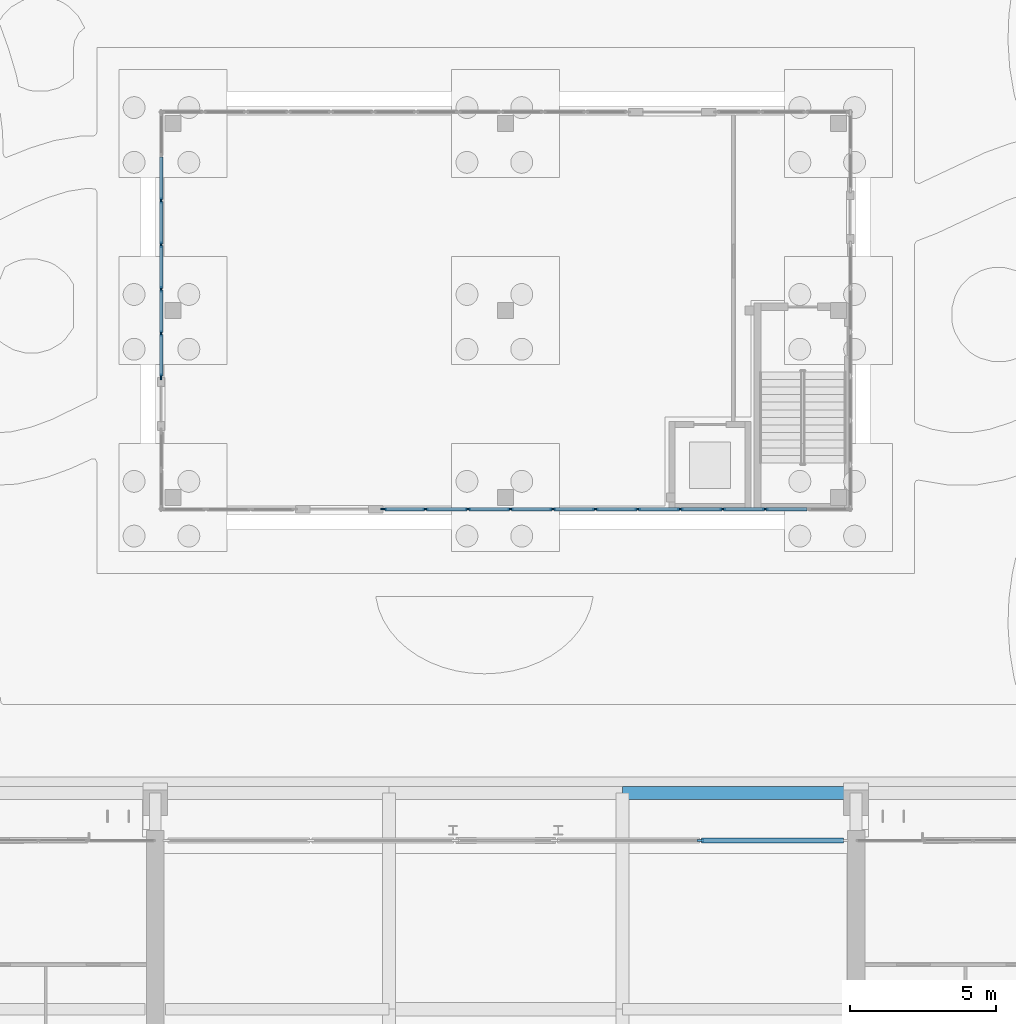
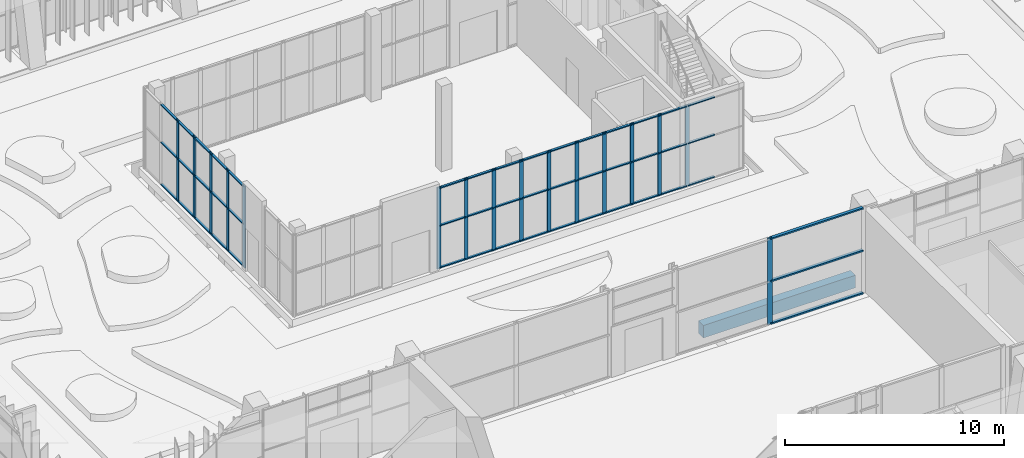
# One storey, part 55 of 144: 64 members, 1 beam, 3 elements without a shape of their own.
"""IFC4 building model written with IfcOpenShell, lengths in metres."""

from ifc_helpers import new_model, si_unit, direction, frame, origin, origin_2d, place, context, subcontext, project, spatial, rectangle, extrude, material, layer, layer_set, material_profile, profile_set, type_object, element, aggregate, save


model = new_model("IFC4")

# Units and contexts
model_context = context("Model", 3, precision=1e-05, world=origin(), true_north=direction((0.0, 1.0)))
body_context = subcontext(model_context, "Body", "Model", "MODEL_VIEW")
ifc_project = project(units=[si_unit("LENGTHUNIT", "METRE"), si_unit("AREAUNIT", "SQUARE_METRE"), si_unit("VOLUMEUNIT", "CUBIC_METRE"), si_unit("PLANEANGLEUNIT", "RADIAN"), si_unit("MASSUNIT", "GRAM", prefix="KILO")], contexts=[model_context])

# Site, building, storey
site_placement = place(None, origin())
site = spatial("IfcSite", under=ifc_project, at=site_placement, CompositionType="ELEMENT")
building_placement = place(site_placement, origin())
building = spatial("IfcBuilding", under=site, at=building_placement, Name="Lantern Court Media Centre", CompositionType="ELEMENT")
storey_placement = place(building_placement, origin())
storey = spatial("IfcBuildingStorey", under=building, at=storey_placement, Name="L00", CompositionType="ELEMENT", Elevation=0.0)

# Curtain wall, members
ifc_material_1 = material(Name="Curtain wall bay 4000")
curtain_wall_type_1 = type_object("IfcCurtainWallType", Name="Curtain wall bay 4000", PredefinedType="NOTDEFINED", material=ifc_material_1)
curtain_wall_1_placement = place(storey_placement, origin())
curtain_wall_1 = element("IfcCurtainWall", 1, at=curtain_wall_1_placement, inside=storey, type_object=curtain_wall_type_1, Name="Curtain wall S inner L00", PredefinedType="NOTDEFINED")
ifc_material_2 = material(Name="Anodised aluminium", Category="aluminium")
ifc_material_profile_1 = material_profile(ifc_material_2, rectangle(XDim=0.080078125, YDim=0.239990234375, at=origin_2d()), Name="AL 80x240")
ifc_profile_set_1 = profile_set([ifc_material_profile_1], Name="Anodised aluminium")
member_type_1 = type_object("IfcMemberType", Name="Curtain wall mullion 80x240", PredefinedType="MULLION", material=ifc_profile_set_1)
member_1_placement = place(storey_placement, frame((58.675048828125, 61.85009765625, 0.0), z_axis=(0.0, 0.0, 1.0), x_axis=(0.0, 1.0, 0.0)))
member_1 = element("IfcMember", 2, at=member_1_placement, type_object=member_type_1, Name="CW3 mullion 2", PredefinedType="MULLION", context=body_context, shape_type="SweptSolid", body=[
    extrude(rectangle(XDim=0.080078125, YDim=0.239990234375, at=origin_2d()), origin(), (0.0, 0.0, 1.0), 4.800048828125),
])
ifc_material_profile_2 = material_profile(ifc_material_2, rectangle(XDim=0.159912109375, YDim=0.080078125, at=origin_2d()), Name="AL 80x160")
ifc_profile_set_2 = profile_set([ifc_material_profile_2], Name="Anodised aluminium")
member_type_2 = type_object("IfcMemberType", Name="Curtain wall transom 160x80", PredefinedType="USERDEFINED", material=ifc_profile_set_2)
member_2_placement = place(storey_placement, frame((58.715087890625, 61.85009765625, 0.0400390625), z_axis=(1.0, 0.0, 0.0), x_axis=(0.0, 1.0, 0.0)))
member_2 = element("IfcMember", 3, at=member_2_placement, type_object=member_type_2, Name="CW3 transom 2.1", ObjectType="TRANSOM", PredefinedType="USERDEFINED", context=body_context, shape_type="SweptSolid", body=[
    extrude(rectangle(XDim=0.159912109375, YDim=0.080078125, at=origin_2d()), origin(), (0.0, 0.0, 1.0), 4.85498046875),
])
member_3_placement = place(storey_placement, frame((58.715087890625, 61.85009765625, 2.39990234375), z_axis=(1.0, 0.0, 0.0), x_axis=(0.0, 1.0, 0.0)))
member_3 = element("IfcMember", 4, at=member_3_placement, type_object=member_type_2, Name="CW3 transom 2.2", ObjectType="TRANSOM", PredefinedType="USERDEFINED", context=body_context, shape_type="SweptSolid", body=[
    extrude(rectangle(XDim=0.159912109375, YDim=0.080078125, at=origin_2d()), origin(), (0.0, 0.0, 1.0), 4.85498046875),
])
member_4_placement = place(storey_placement, frame((58.715087890625, 61.85009765625, 4.760009765625), z_axis=(1.0, 0.0, 0.0), x_axis=(0.0, 1.0, 0.0)))
member_4 = element("IfcMember", 5, at=member_4_placement, type_object=member_type_2, Name="CW3 transom 2.3", ObjectType="TRANSOM", PredefinedType="USERDEFINED", context=body_context, shape_type="SweptSolid", body=[
    extrude(rectangle(XDim=0.159912109375, YDim=0.080078125, at=origin_2d()), origin(), (0.0, 0.0, 1.0), 4.85498046875),
])
aggregate(curtain_wall_1, [member_1, member_2, member_3, member_4])

ifc_material_3 = material(Name="Aluminium and glass", Category="aluminium")
ifc_layer = layer(ifc_material_3, 0.14990234375)
ifc_layer_set = layer_set([ifc_layer], Name="Aluminium and glass")
curtain_wall_type_2 = type_object("IfcCurtainWallType", Name="Hall lancet glazing", PredefinedType="NOTDEFINED", material=ifc_layer_set)
curtain_wall_2_placement = place(storey_placement, origin())
curtain_wall_2 = element("IfcCurtainWall", 6, at=curtain_wall_2_placement, inside=storey, type_object=curtain_wall_type_2, Name="Press box glazing S 2", PredefinedType="NOTDEFINED")
ifc_material_4 = material(Name="Aluminium, anodised", Category="aluminium")
ifc_material_profile_3 = material_profile(ifc_material_4, rectangle(XDim=0.06005859375, YDim=0.199951171875, at=origin_2d()), Name="HM")
ifc_profile_set_3 = profile_set([ifc_material_profile_3], Name="Aluminium, anodised")
member_type_3 = type_object("IfcMemberType", Name="HM", PredefinedType="MULLION", material=ifc_profile_set_3)
member_5_placement = place(storey_placement, frame((47.830078125, 73.199951171875, 0.0), z_axis=(0.0, 0.0, 1.0), x_axis=(0.0, 1.0, 0.0)))
member_5 = element("IfcMember", 7, at=member_5_placement, type_object=member_type_3, Name="HCW-PS2 mullion 1", PredefinedType="MULLION", context=body_context, shape_type="SweptSolid", body=[
    extrude(rectangle(XDim=0.06005859375, YDim=0.199951171875, at=origin_2d()), origin(), (0.0, 0.0, 1.0), 4.550048828125),
])
member_6_placement = place(storey_placement, frame((49.254638671875, 73.199951171875, 0.0), z_axis=(0.0, 0.0, 1.0), x_axis=(0.0, 1.0, 0.0)))
member_6 = element("IfcMember", 8, at=member_6_placement, type_object=member_type_3, Name="HCW-PS2 mullion 2", PredefinedType="MULLION", context=body_context, shape_type="SweptSolid", body=[
    extrude(rectangle(XDim=0.06005859375, YDim=0.199951171875, at=origin_2d()), origin(), (0.0, 0.0, 1.0), 4.550048828125),
])
member_7_placement = place(storey_placement, frame((50.708984375, 73.199951171875, 0.0), z_axis=(0.0, 0.0, 1.0), x_axis=(0.0, 1.0, 0.0)))
member_7 = element("IfcMember", 9, at=member_7_placement, type_object=member_type_3, Name="HCW-PS2 mullion 3", PredefinedType="MULLION", context=body_context, shape_type="SweptSolid", body=[
    extrude(rectangle(XDim=0.06005859375, YDim=0.199951171875, at=origin_2d()), origin(), (0.0, 0.0, 1.0), 4.550048828125),
])
member_8_placement = place(storey_placement, frame((52.16357421875, 73.199951171875, 0.0), z_axis=(0.0, 0.0, 1.0), x_axis=(0.0, 1.0, 0.0)))
member_8 = element("IfcMember", 10, at=member_8_placement, type_object=member_type_3, Name="HCW-PS2 mullion 4", PredefinedType="MULLION", context=body_context, shape_type="SweptSolid", body=[
    extrude(rectangle(XDim=0.06005859375, YDim=0.199951171875, at=origin_2d()), origin(), (0.0, 0.0, 1.0), 4.550048828125),
])
member_9_placement = place(storey_placement, frame((53.6181640625, 73.199951171875, 0.0), z_axis=(0.0, 0.0, 1.0), x_axis=(0.0, 1.0, 0.0)))
member_9 = element("IfcMember", 11, at=member_9_placement, type_object=member_type_3, Name="HCW-PS2 mullion 5", PredefinedType="MULLION", context=body_context, shape_type="SweptSolid", body=[
    extrude(rectangle(XDim=0.06005859375, YDim=0.199951171875, at=origin_2d()), origin(), (0.0, 0.0, 1.0), 4.550048828125),
])
member_10_placement = place(storey_placement, frame((55.07275390625, 73.199951171875, 0.0), z_axis=(0.0, 0.0, 1.0), x_axis=(0.0, 1.0, 0.0)))
member_10 = element("IfcMember", 12, at=member_10_placement, type_object=member_type_3, Name="HCW-PS2 mullion 6", PredefinedType="MULLION", context=body_context, shape_type="SweptSolid", body=[
    extrude(rectangle(XDim=0.06005859375, YDim=0.199951171875, at=origin_2d()), origin(), (0.0, 0.0, 1.0), 4.550048828125),
])
member_11_placement = place(storey_placement, frame((56.52734375, 73.199951171875, 0.0), z_axis=(0.0, 0.0, 1.0), x_axis=(0.0, 1.0, 0.0)))
member_11 = element("IfcMember", 13, at=member_11_placement, type_object=member_type_3, Name="HCW-PS2 mullion 7", PredefinedType="MULLION", context=body_context, shape_type="SweptSolid", body=[
    extrude(rectangle(XDim=0.06005859375, YDim=0.199951171875, at=origin_2d()), origin(), (0.0, 0.0, 1.0), 4.550048828125),
])
member_12_placement = place(storey_placement, frame((57.98193359375, 73.199951171875, 0.0), z_axis=(0.0, 0.0, 1.0), x_axis=(0.0, 1.0, 0.0)))
member_12 = element("IfcMember", 14, at=member_12_placement, type_object=member_type_3, Name="HCW-PS2 mullion 8", PredefinedType="MULLION", context=body_context, shape_type="SweptSolid", body=[
    extrude(rectangle(XDim=0.06005859375, YDim=0.199951171875, at=origin_2d()), origin(), (0.0, 0.0, 1.0), 4.550048828125),
])
member_13_placement = place(storey_placement, frame((59.436279296875, 73.199951171875, 0.0), z_axis=(0.0, 0.0, 1.0), x_axis=(0.0, 1.0, 0.0)))
member_13 = element("IfcMember", 15, at=member_13_placement, type_object=member_type_3, Name="HCW-PS2 mullion 9", PredefinedType="MULLION", context=body_context, shape_type="SweptSolid", body=[
    extrude(rectangle(XDim=0.06005859375, YDim=0.199951171875, at=origin_2d()), origin(), (0.0, 0.0, 1.0), 4.550048828125),
])
member_14_placement = place(storey_placement, frame((60.890869140625, 73.199951171875, 0.0), z_axis=(0.0, 0.0, 1.0), x_axis=(0.0, 1.0, 0.0)))
member_14 = element("IfcMember", 16, at=member_14_placement, type_object=member_type_3, Name="HCW-PS2 mullion 10", PredefinedType="MULLION", context=body_context, shape_type="SweptSolid", body=[
    extrude(rectangle(XDim=0.06005859375, YDim=0.199951171875, at=origin_2d()), origin(), (0.0, 0.0, 1.0), 4.550048828125),
])

curtain_wall_3_placement = place(storey_placement, origin())
curtain_wall_3 = element("IfcCurtainWall", 17, at=curtain_wall_3_placement, inside=storey, type_object=curtain_wall_type_2, Name="Press box glazing W 2", PredefinedType="NOTDEFINED")
member_15_placement = place(storey_placement, frame((40.199951171875, 77.72998046875, 0.0), z_axis=(0.0, 0.0, 1.0), x_axis=(-1.0, 0.0, 0.0)))
member_15 = element("IfcMember", 18, at=member_15_placement, type_object=member_type_3, Name="HCW-PW2 mullion 1", PredefinedType="MULLION", context=body_context, shape_type="SweptSolid", body=[
    extrude(rectangle(XDim=0.06005859375, YDim=0.199951171875, at=origin_2d()), origin(), (0.0, 0.0, 1.0), 4.550048828125),
])
member_16_placement = place(storey_placement, frame((40.199951171875, 79.216552734375, 0.0), z_axis=(0.0, 0.0, 1.0), x_axis=(-1.0, 0.0, 0.0)))
member_16 = element("IfcMember", 19, at=member_16_placement, type_object=member_type_3, Name="HCW-PW2 mullion 2", PredefinedType="MULLION", context=body_context, shape_type="SweptSolid", body=[
    extrude(rectangle(XDim=0.06005859375, YDim=0.199951171875, at=origin_2d()), origin(), (0.0, 0.0, 1.0), 4.550048828125),
])
member_17_placement = place(storey_placement, frame((40.199951171875, 80.7333984375, 0.0), z_axis=(0.0, 0.0, 1.0), x_axis=(-1.0, 0.0, 0.0)))
member_17 = element("IfcMember", 20, at=member_17_placement, type_object=member_type_3, Name="HCW-PW2 mullion 3", PredefinedType="MULLION", context=body_context, shape_type="SweptSolid", body=[
    extrude(rectangle(XDim=0.06005859375, YDim=0.199951171875, at=origin_2d()), origin(), (0.0, 0.0, 1.0), 4.550048828125),
])
member_18_placement = place(storey_placement, frame((40.199951171875, 82.25, 0.0), z_axis=(0.0, 0.0, 1.0), x_axis=(-1.0, 0.0, 0.0)))
member_18 = element("IfcMember", 21, at=member_18_placement, type_object=member_type_3, Name="HCW-PW2 mullion 4", PredefinedType="MULLION", context=body_context, shape_type="SweptSolid", body=[
    extrude(rectangle(XDim=0.06005859375, YDim=0.199951171875, at=origin_2d()), origin(), (0.0, 0.0, 1.0), 4.550048828125),
])
member_19_placement = place(storey_placement, frame((40.199951171875, 83.7666015625, 0.0), z_axis=(0.0, 0.0, 1.0), x_axis=(-1.0, 0.0, 0.0)))
member_19 = element("IfcMember", 22, at=member_19_placement, type_object=member_type_3, Name="HCW-PW2 mullion 5", PredefinedType="MULLION", context=body_context, shape_type="SweptSolid", body=[
    extrude(rectangle(XDim=0.06005859375, YDim=0.199951171875, at=origin_2d()), origin(), (0.0, 0.0, 1.0), 4.550048828125),
])

# Member
ifc_material_profile_4 = material_profile(ifc_material_4, rectangle(XDim=0.1201171875, YDim=0.06005859375, at=origin_2d()), Name="HT")
ifc_profile_set_4 = profile_set([ifc_material_profile_4], Name="Aluminium, anodised")
member_type_4 = type_object("IfcMemberType", Name="HT", PredefinedType="USERDEFINED", material=ifc_profile_set_4)
member_20_placement = place(storey_placement, frame((47.860107421875, 73.199951171875, 0.06005859375), z_axis=(1.0, 0.0, 0.0), x_axis=(0.0, 1.0, 0.0)))
member_20 = element("IfcMember", 23, at=member_20_placement, type_object=member_type_4, Name="HCW-PS2 transom 1.1", ObjectType="TRANSOM", PredefinedType="USERDEFINED", context=body_context, shape_type="SweptSolid", body=[
    extrude(rectangle(XDim=0.1201171875, YDim=0.06005859375, at=origin_2d()), origin(), (0.0, 0.0, 1.0), 1.364501953125),
])

member_21_placement = place(storey_placement, frame((47.860107421875, 73.199951171875, 2.39990234375), z_axis=(1.0, 0.0, 0.0), x_axis=(0.0, 1.0, 0.0)))
member_21 = element("IfcMember", 24, at=member_21_placement, type_object=member_type_4, Name="HCW-PS2 transom 1.2", ObjectType="TRANSOM", PredefinedType="USERDEFINED", context=body_context, shape_type="SweptSolid", body=[
    extrude(rectangle(XDim=0.1201171875, YDim=0.06005859375, at=origin_2d()), origin(), (0.0, 0.0, 1.0), 1.364501953125),
])

member_22_placement = place(storey_placement, frame((47.860107421875, 73.199951171875, 4.489990234375), z_axis=(1.0, 0.0, 0.0), x_axis=(0.0, 1.0, 0.0)))
member_22 = element("IfcMember", 25, at=member_22_placement, type_object=member_type_4, Name="HCW-PS2 transom 1.3", ObjectType="TRANSOM", PredefinedType="USERDEFINED", context=body_context, shape_type="SweptSolid", body=[
    extrude(rectangle(XDim=0.1201171875, YDim=0.06005859375, at=origin_2d()), origin(), (0.0, 0.0, 1.0), 1.364501953125),
])

member_23_placement = place(storey_placement, frame((49.284423828125, 73.199951171875, 0.06005859375), z_axis=(1.0, 0.0, 0.0), x_axis=(0.0, 1.0, 0.0)))
member_23 = element("IfcMember", 26, at=member_23_placement, type_object=member_type_4, Name="HCW-PS2 transom 2.1", ObjectType="TRANSOM", PredefinedType="USERDEFINED", context=body_context, shape_type="SweptSolid", body=[
    extrude(rectangle(XDim=0.1201171875, YDim=0.06005859375, at=origin_2d()), origin(), (0.0, 0.0, 1.0), 1.394775390625),
])

member_24_placement = place(storey_placement, frame((49.284423828125, 73.199951171875, 2.39990234375), z_axis=(1.0, 0.0, 0.0), x_axis=(0.0, 1.0, 0.0)))
member_24 = element("IfcMember", 27, at=member_24_placement, type_object=member_type_4, Name="HCW-PS2 transom 2.2", ObjectType="TRANSOM", PredefinedType="USERDEFINED", context=body_context, shape_type="SweptSolid", body=[
    extrude(rectangle(XDim=0.1201171875, YDim=0.06005859375, at=origin_2d()), origin(), (0.0, 0.0, 1.0), 1.394775390625),
])

member_25_placement = place(storey_placement, frame((49.284423828125, 73.199951171875, 4.489990234375), z_axis=(1.0, 0.0, 0.0), x_axis=(0.0, 1.0, 0.0)))
member_25 = element("IfcMember", 28, at=member_25_placement, type_object=member_type_4, Name="HCW-PS2 transom 2.3", ObjectType="TRANSOM", PredefinedType="USERDEFINED", context=body_context, shape_type="SweptSolid", body=[
    extrude(rectangle(XDim=0.1201171875, YDim=0.06005859375, at=origin_2d()), origin(), (0.0, 0.0, 1.0), 1.394775390625),
])

member_26_placement = place(storey_placement, frame((50.739013671875, 73.199951171875, 0.06005859375), z_axis=(1.0, 0.0, 0.0), x_axis=(0.0, 1.0, 0.0)))
member_26 = element("IfcMember", 29, at=member_26_placement, type_object=member_type_4, Name="HCW-PS2 transom 3.1", ObjectType="TRANSOM", PredefinedType="USERDEFINED", context=body_context, shape_type="SweptSolid", body=[
    extrude(rectangle(XDim=0.1201171875, YDim=0.06005859375, at=origin_2d()), origin(), (0.0, 0.0, 1.0), 1.39453125),
])

member_27_placement = place(storey_placement, frame((50.739013671875, 73.199951171875, 2.39990234375), z_axis=(1.0, 0.0, 0.0), x_axis=(0.0, 1.0, 0.0)))
member_27 = element("IfcMember", 30, at=member_27_placement, type_object=member_type_4, Name="HCW-PS2 transom 3.2", ObjectType="TRANSOM", PredefinedType="USERDEFINED", context=body_context, shape_type="SweptSolid", body=[
    extrude(rectangle(XDim=0.1201171875, YDim=0.06005859375, at=origin_2d()), origin(), (0.0, 0.0, 1.0), 1.39453125),
])

member_28_placement = place(storey_placement, frame((50.739013671875, 73.199951171875, 4.489990234375), z_axis=(1.0, 0.0, 0.0), x_axis=(0.0, 1.0, 0.0)))
member_28 = element("IfcMember", 31, at=member_28_placement, type_object=member_type_4, Name="HCW-PS2 transom 3.3", ObjectType="TRANSOM", PredefinedType="USERDEFINED", context=body_context, shape_type="SweptSolid", body=[
    extrude(rectangle(XDim=0.1201171875, YDim=0.06005859375, at=origin_2d()), origin(), (0.0, 0.0, 1.0), 1.39453125),
])

member_29_placement = place(storey_placement, frame((52.193603515625, 73.199951171875, 0.06005859375), z_axis=(1.0, 0.0, 0.0), x_axis=(0.0, 1.0, 0.0)))
member_29 = element("IfcMember", 32, at=member_29_placement, type_object=member_type_4, Name="HCW-PS2 transom 4.1", ObjectType="TRANSOM", PredefinedType="USERDEFINED", context=body_context, shape_type="SweptSolid", body=[
    extrude(rectangle(XDim=0.1201171875, YDim=0.06005859375, at=origin_2d()), origin(), (0.0, 0.0, 1.0), 1.39453125),
])

member_30_placement = place(storey_placement, frame((52.193603515625, 73.199951171875, 2.39990234375), z_axis=(1.0, 0.0, 0.0), x_axis=(0.0, 1.0, 0.0)))
member_30 = element("IfcMember", 33, at=member_30_placement, type_object=member_type_4, Name="HCW-PS2 transom 4.2", ObjectType="TRANSOM", PredefinedType="USERDEFINED", context=body_context, shape_type="SweptSolid", body=[
    extrude(rectangle(XDim=0.1201171875, YDim=0.06005859375, at=origin_2d()), origin(), (0.0, 0.0, 1.0), 1.39453125),
])

member_31_placement = place(storey_placement, frame((52.193603515625, 73.199951171875, 4.489990234375), z_axis=(1.0, 0.0, 0.0), x_axis=(0.0, 1.0, 0.0)))
member_31 = element("IfcMember", 34, at=member_31_placement, type_object=member_type_4, Name="HCW-PS2 transom 4.3", ObjectType="TRANSOM", PredefinedType="USERDEFINED", context=body_context, shape_type="SweptSolid", body=[
    extrude(rectangle(XDim=0.1201171875, YDim=0.06005859375, at=origin_2d()), origin(), (0.0, 0.0, 1.0), 1.39453125),
])

member_32_placement = place(storey_placement, frame((53.648193359375, 73.199951171875, 0.06005859375), z_axis=(1.0, 0.0, 0.0), x_axis=(0.0, 1.0, 0.0)))
member_32 = element("IfcMember", 35, at=member_32_placement, type_object=member_type_4, Name="HCW-PS2 transom 5.1", ObjectType="TRANSOM", PredefinedType="USERDEFINED", context=body_context, shape_type="SweptSolid", body=[
    extrude(rectangle(XDim=0.1201171875, YDim=0.06005859375, at=origin_2d()), origin(), (0.0, 0.0, 1.0), 1.39453125),
])

member_33_placement = place(storey_placement, frame((53.648193359375, 73.199951171875, 2.39990234375), z_axis=(1.0, 0.0, 0.0), x_axis=(0.0, 1.0, 0.0)))
member_33 = element("IfcMember", 36, at=member_33_placement, type_object=member_type_4, Name="HCW-PS2 transom 5.2", ObjectType="TRANSOM", PredefinedType="USERDEFINED", context=body_context, shape_type="SweptSolid", body=[
    extrude(rectangle(XDim=0.1201171875, YDim=0.06005859375, at=origin_2d()), origin(), (0.0, 0.0, 1.0), 1.39453125),
])

member_34_placement = place(storey_placement, frame((53.648193359375, 73.199951171875, 4.489990234375), z_axis=(1.0, 0.0, 0.0), x_axis=(0.0, 1.0, 0.0)))
member_34 = element("IfcMember", 37, at=member_34_placement, type_object=member_type_4, Name="HCW-PS2 transom 5.3", ObjectType="TRANSOM", PredefinedType="USERDEFINED", context=body_context, shape_type="SweptSolid", body=[
    extrude(rectangle(XDim=0.1201171875, YDim=0.06005859375, at=origin_2d()), origin(), (0.0, 0.0, 1.0), 1.39453125),
])

member_35_placement = place(storey_placement, frame((55.102783203125, 73.199951171875, 0.06005859375), z_axis=(1.0, 0.0, 0.0), x_axis=(0.0, 1.0, 0.0)))
member_35 = element("IfcMember", 38, at=member_35_placement, type_object=member_type_4, Name="HCW-PS2 transom 6.1", ObjectType="TRANSOM", PredefinedType="USERDEFINED", context=body_context, shape_type="SweptSolid", body=[
    extrude(rectangle(XDim=0.1201171875, YDim=0.06005859375, at=origin_2d()), origin(), (0.0, 0.0, 1.0), 1.39453125),
])

member_36_placement = place(storey_placement, frame((55.102783203125, 73.199951171875, 2.39990234375), z_axis=(1.0, 0.0, 0.0), x_axis=(0.0, 1.0, 0.0)))
member_36 = element("IfcMember", 39, at=member_36_placement, type_object=member_type_4, Name="HCW-PS2 transom 6.2", ObjectType="TRANSOM", PredefinedType="USERDEFINED", context=body_context, shape_type="SweptSolid", body=[
    extrude(rectangle(XDim=0.1201171875, YDim=0.06005859375, at=origin_2d()), origin(), (0.0, 0.0, 1.0), 1.39453125),
])

member_37_placement = place(storey_placement, frame((55.102783203125, 73.199951171875, 4.489990234375), z_axis=(1.0, 0.0, 0.0), x_axis=(0.0, 1.0, 0.0)))
member_37 = element("IfcMember", 40, at=member_37_placement, type_object=member_type_4, Name="HCW-PS2 transom 6.3", ObjectType="TRANSOM", PredefinedType="USERDEFINED", context=body_context, shape_type="SweptSolid", body=[
    extrude(rectangle(XDim=0.1201171875, YDim=0.06005859375, at=origin_2d()), origin(), (0.0, 0.0, 1.0), 1.39453125),
])

member_38_placement = place(storey_placement, frame((56.557373046875, 73.199951171875, 0.06005859375), z_axis=(1.0, 0.0, 0.0), x_axis=(0.0, 1.0, 0.0)))
member_38 = element("IfcMember", 41, at=member_38_placement, type_object=member_type_4, Name="HCW-PS2 transom 7.1", ObjectType="TRANSOM", PredefinedType="USERDEFINED", context=body_context, shape_type="SweptSolid", body=[
    extrude(rectangle(XDim=0.1201171875, YDim=0.06005859375, at=origin_2d()), origin(), (0.0, 0.0, 1.0), 1.39453125),
])

member_39_placement = place(storey_placement, frame((56.557373046875, 73.199951171875, 2.39990234375), z_axis=(1.0, 0.0, 0.0), x_axis=(0.0, 1.0, 0.0)))
member_39 = element("IfcMember", 42, at=member_39_placement, type_object=member_type_4, Name="HCW-PS2 transom 7.2", ObjectType="TRANSOM", PredefinedType="USERDEFINED", context=body_context, shape_type="SweptSolid", body=[
    extrude(rectangle(XDim=0.1201171875, YDim=0.06005859375, at=origin_2d()), origin(), (0.0, 0.0, 1.0), 1.39453125),
])

member_40_placement = place(storey_placement, frame((56.557373046875, 73.199951171875, 4.489990234375), z_axis=(1.0, 0.0, 0.0), x_axis=(0.0, 1.0, 0.0)))
member_40 = element("IfcMember", 43, at=member_40_placement, type_object=member_type_4, Name="HCW-PS2 transom 7.3", ObjectType="TRANSOM", PredefinedType="USERDEFINED", context=body_context, shape_type="SweptSolid", body=[
    extrude(rectangle(XDim=0.1201171875, YDim=0.06005859375, at=origin_2d()), origin(), (0.0, 0.0, 1.0), 1.39453125),
])

member_41_placement = place(storey_placement, frame((58.01171875, 73.199951171875, 0.06005859375), z_axis=(1.0, 0.0, 0.0), x_axis=(0.0, 1.0, 0.0)))
member_41 = element("IfcMember", 44, at=member_41_placement, type_object=member_type_4, Name="HCW-PS2 transom 8.1", ObjectType="TRANSOM", PredefinedType="USERDEFINED", context=body_context, shape_type="SweptSolid", body=[
    extrude(rectangle(XDim=0.1201171875, YDim=0.06005859375, at=origin_2d()), origin(), (0.0, 0.0, 1.0), 1.39453125),
])

member_42_placement = place(storey_placement, frame((58.01171875, 73.199951171875, 2.39990234375), z_axis=(1.0, 0.0, 0.0), x_axis=(0.0, 1.0, 0.0)))
member_42 = element("IfcMember", 45, at=member_42_placement, type_object=member_type_4, Name="HCW-PS2 transom 8.2", ObjectType="TRANSOM", PredefinedType="USERDEFINED", context=body_context, shape_type="SweptSolid", body=[
    extrude(rectangle(XDim=0.1201171875, YDim=0.06005859375, at=origin_2d()), origin(), (0.0, 0.0, 1.0), 1.39453125),
])

member_43_placement = place(storey_placement, frame((58.01171875, 73.199951171875, 4.489990234375), z_axis=(1.0, 0.0, 0.0), x_axis=(0.0, 1.0, 0.0)))
member_43 = element("IfcMember", 46, at=member_43_placement, type_object=member_type_4, Name="HCW-PS2 transom 8.3", ObjectType="TRANSOM", PredefinedType="USERDEFINED", context=body_context, shape_type="SweptSolid", body=[
    extrude(rectangle(XDim=0.1201171875, YDim=0.06005859375, at=origin_2d()), origin(), (0.0, 0.0, 1.0), 1.39453125),
])

member_44_placement = place(storey_placement, frame((59.46630859375, 73.199951171875, 0.06005859375), z_axis=(1.0, 0.0, 0.0), x_axis=(0.0, 1.0, 0.0)))
member_44 = element("IfcMember", 47, at=member_44_placement, type_object=member_type_4, Name="HCW-PS2 transom 9.1", ObjectType="TRANSOM", PredefinedType="USERDEFINED", context=body_context, shape_type="SweptSolid", body=[
    extrude(rectangle(XDim=0.1201171875, YDim=0.06005859375, at=origin_2d()), origin(), (0.0, 0.0, 1.0), 1.39453125),
])

member_45_placement = place(storey_placement, frame((59.46630859375, 73.199951171875, 2.39990234375), z_axis=(1.0, 0.0, 0.0), x_axis=(0.0, 1.0, 0.0)))
member_45 = element("IfcMember", 48, at=member_45_placement, type_object=member_type_4, Name="HCW-PS2 transom 9.2", ObjectType="TRANSOM", PredefinedType="USERDEFINED", context=body_context, shape_type="SweptSolid", body=[
    extrude(rectangle(XDim=0.1201171875, YDim=0.06005859375, at=origin_2d()), origin(), (0.0, 0.0, 1.0), 1.39453125),
])

member_46_placement = place(storey_placement, frame((59.46630859375, 73.199951171875, 4.489990234375), z_axis=(1.0, 0.0, 0.0), x_axis=(0.0, 1.0, 0.0)))
member_46 = element("IfcMember", 49, at=member_46_placement, type_object=member_type_4, Name="HCW-PS2 transom 9.3", ObjectType="TRANSOM", PredefinedType="USERDEFINED", context=body_context, shape_type="SweptSolid", body=[
    extrude(rectangle(XDim=0.1201171875, YDim=0.06005859375, at=origin_2d()), origin(), (0.0, 0.0, 1.0), 1.39453125),
])

member_47_placement = place(storey_placement, frame((60.9208984375, 73.199951171875, 0.06005859375), z_axis=(1.0, 0.0, 0.0), x_axis=(0.0, 1.0, 0.0)))
member_47 = element("IfcMember", 50, at=member_47_placement, type_object=member_type_4, Name="HCW-PS2 transom 10.1", ObjectType="TRANSOM", PredefinedType="USERDEFINED", context=body_context, shape_type="SweptSolid", body=[
    extrude(rectangle(XDim=0.1201171875, YDim=0.06005859375, at=origin_2d()), origin(), (0.0, 0.0, 1.0), 1.39453125),
])

member_48_placement = place(storey_placement, frame((60.9208984375, 73.199951171875, 2.39990234375), z_axis=(1.0, 0.0, 0.0), x_axis=(0.0, 1.0, 0.0)))
member_48 = element("IfcMember", 51, at=member_48_placement, type_object=member_type_4, Name="HCW-PS2 transom 10.2", ObjectType="TRANSOM", PredefinedType="USERDEFINED", context=body_context, shape_type="SweptSolid", body=[
    extrude(rectangle(XDim=0.1201171875, YDim=0.06005859375, at=origin_2d()), origin(), (0.0, 0.0, 1.0), 1.39453125),
])

member_49_placement = place(storey_placement, frame((60.9208984375, 73.199951171875, 4.489990234375), z_axis=(1.0, 0.0, 0.0), x_axis=(0.0, 1.0, 0.0)))
member_49 = element("IfcMember", 52, at=member_49_placement, type_object=member_type_4, Name="HCW-PS2 transom 10.3", ObjectType="TRANSOM", PredefinedType="USERDEFINED", context=body_context, shape_type="SweptSolid", body=[
    extrude(rectangle(XDim=0.1201171875, YDim=0.06005859375, at=origin_2d()), origin(), (0.0, 0.0, 1.0), 1.39453125),
])

aggregate(curtain_wall_2, [member_5, member_6, member_7, member_8, member_9, member_10, member_11, member_12, member_13, member_14, member_20, member_21, member_22, member_23, member_24, member_25, member_26, member_27, member_28, member_29, member_30, member_31, member_32, member_33, member_34, member_35, member_36, member_37, member_38, member_39, member_40, member_41, member_42, member_43, member_44, member_45, member_46, member_47, member_48, member_49])

member_50_placement = place(storey_placement, frame((40.199951171875, 77.760009765625, 0.06005859375), z_axis=(0.0, 1.0, 0.0), x_axis=(-1.0, 0.0, 0.0)))
member_50 = element("IfcMember", 53, at=member_50_placement, type_object=member_type_4, Name="HCW-PW2 transom 1.1", ObjectType="TRANSOM", PredefinedType="USERDEFINED", context=body_context, shape_type="SweptSolid", body=[
    extrude(rectangle(XDim=0.1201171875, YDim=0.06005859375, at=origin_2d()), origin(), (0.0, 0.0, 1.0), 1.4267578125),
])

member_51_placement = place(storey_placement, frame((40.199951171875, 77.760009765625, 2.39990234375), z_axis=(0.0, 1.0, 0.0), x_axis=(-1.0, 0.0, 0.0)))
member_51 = element("IfcMember", 54, at=member_51_placement, type_object=member_type_4, Name="HCW-PW2 transom 1.2", ObjectType="TRANSOM", PredefinedType="USERDEFINED", context=body_context, shape_type="SweptSolid", body=[
    extrude(rectangle(XDim=0.1201171875, YDim=0.06005859375, at=origin_2d()), origin(), (0.0, 0.0, 1.0), 1.4267578125),
])

member_52_placement = place(storey_placement, frame((40.199951171875, 77.760009765625, 4.489990234375), z_axis=(0.0, 1.0, 0.0), x_axis=(-1.0, 0.0, 0.0)))
member_52 = element("IfcMember", 55, at=member_52_placement, type_object=member_type_4, Name="HCW-PW2 transom 1.3", ObjectType="TRANSOM", PredefinedType="USERDEFINED", context=body_context, shape_type="SweptSolid", body=[
    extrude(rectangle(XDim=0.1201171875, YDim=0.06005859375, at=origin_2d()), origin(), (0.0, 0.0, 1.0), 1.4267578125),
])

member_53_placement = place(storey_placement, frame((40.199951171875, 79.24658203125, 0.06005859375), z_axis=(0.0, 1.0, 0.0), x_axis=(-1.0, 0.0, 0.0)))
member_53 = element("IfcMember", 56, at=member_53_placement, type_object=member_type_4, Name="HCW-PW2 transom 2.1", ObjectType="TRANSOM", PredefinedType="USERDEFINED", context=body_context, shape_type="SweptSolid", body=[
    extrude(rectangle(XDim=0.1201171875, YDim=0.06005859375, at=origin_2d()), origin(), (0.0, 0.0, 1.0), 1.456787109375),
])

member_54_placement = place(storey_placement, frame((40.199951171875, 79.24658203125, 2.39990234375), z_axis=(0.0, 1.0, 0.0), x_axis=(-1.0, 0.0, 0.0)))
member_54 = element("IfcMember", 57, at=member_54_placement, type_object=member_type_4, Name="HCW-PW2 transom 2.2", ObjectType="TRANSOM", PredefinedType="USERDEFINED", context=body_context, shape_type="SweptSolid", body=[
    extrude(rectangle(XDim=0.1201171875, YDim=0.06005859375, at=origin_2d()), origin(), (0.0, 0.0, 1.0), 1.456787109375),
])

member_55_placement = place(storey_placement, frame((40.199951171875, 79.24658203125, 4.489990234375), z_axis=(0.0, 1.0, 0.0), x_axis=(-1.0, 0.0, 0.0)))
member_55 = element("IfcMember", 58, at=member_55_placement, type_object=member_type_4, Name="HCW-PW2 transom 2.3", ObjectType="TRANSOM", PredefinedType="USERDEFINED", context=body_context, shape_type="SweptSolid", body=[
    extrude(rectangle(XDim=0.1201171875, YDim=0.06005859375, at=origin_2d()), origin(), (0.0, 0.0, 1.0), 1.456787109375),
])

member_56_placement = place(storey_placement, frame((40.199951171875, 80.763427734375, 0.06005859375), z_axis=(0.0, 1.0, 0.0), x_axis=(-1.0, 0.0, 0.0)))
member_56 = element("IfcMember", 59, at=member_56_placement, type_object=member_type_4, Name="HCW-PW2 transom 3.1", ObjectType="TRANSOM", PredefinedType="USERDEFINED", context=body_context, shape_type="SweptSolid", body=[
    extrude(rectangle(XDim=0.1201171875, YDim=0.06005859375, at=origin_2d()), origin(), (0.0, 0.0, 1.0), 1.45654296875),
])

member_57_placement = place(storey_placement, frame((40.199951171875, 80.763427734375, 2.39990234375), z_axis=(0.0, 1.0, 0.0), x_axis=(-1.0, 0.0, 0.0)))
member_57 = element("IfcMember", 60, at=member_57_placement, type_object=member_type_4, Name="HCW-PW2 transom 3.2", ObjectType="TRANSOM", PredefinedType="USERDEFINED", context=body_context, shape_type="SweptSolid", body=[
    extrude(rectangle(XDim=0.1201171875, YDim=0.06005859375, at=origin_2d()), origin(), (0.0, 0.0, 1.0), 1.45654296875),
])

member_58_placement = place(storey_placement, frame((40.199951171875, 80.763427734375, 4.489990234375), z_axis=(0.0, 1.0, 0.0), x_axis=(-1.0, 0.0, 0.0)))
member_58 = element("IfcMember", 61, at=member_58_placement, type_object=member_type_4, Name="HCW-PW2 transom 3.3", ObjectType="TRANSOM", PredefinedType="USERDEFINED", context=body_context, shape_type="SweptSolid", body=[
    extrude(rectangle(XDim=0.1201171875, YDim=0.06005859375, at=origin_2d()), origin(), (0.0, 0.0, 1.0), 1.45654296875),
])

member_59_placement = place(storey_placement, frame((40.199951171875, 82.280029296875, 0.06005859375), z_axis=(0.0, 1.0, 0.0), x_axis=(-1.0, 0.0, 0.0)))
member_59 = element("IfcMember", 62, at=member_59_placement, type_object=member_type_4, Name="HCW-PW2 transom 4.1", ObjectType="TRANSOM", PredefinedType="USERDEFINED", context=body_context, shape_type="SweptSolid", body=[
    extrude(rectangle(XDim=0.1201171875, YDim=0.06005859375, at=origin_2d()), origin(), (0.0, 0.0, 1.0), 1.45654296875),
])

member_60_placement = place(storey_placement, frame((40.199951171875, 82.280029296875, 2.39990234375), z_axis=(0.0, 1.0, 0.0), x_axis=(-1.0, 0.0, 0.0)))
member_60 = element("IfcMember", 63, at=member_60_placement, type_object=member_type_4, Name="HCW-PW2 transom 4.2", ObjectType="TRANSOM", PredefinedType="USERDEFINED", context=body_context, shape_type="SweptSolid", body=[
    extrude(rectangle(XDim=0.1201171875, YDim=0.06005859375, at=origin_2d()), origin(), (0.0, 0.0, 1.0), 1.45654296875),
])

member_61_placement = place(storey_placement, frame((40.199951171875, 82.280029296875, 4.489990234375), z_axis=(0.0, 1.0, 0.0), x_axis=(-1.0, 0.0, 0.0)))
member_61 = element("IfcMember", 64, at=member_61_placement, type_object=member_type_4, Name="HCW-PW2 transom 4.3", ObjectType="TRANSOM", PredefinedType="USERDEFINED", context=body_context, shape_type="SweptSolid", body=[
    extrude(rectangle(XDim=0.1201171875, YDim=0.06005859375, at=origin_2d()), origin(), (0.0, 0.0, 1.0), 1.45654296875),
])

member_62_placement = place(storey_placement, frame((40.199951171875, 83.796630859375, 0.06005859375), z_axis=(0.0, 1.0, 0.0), x_axis=(-1.0, 0.0, 0.0)))
member_62 = element("IfcMember", 65, at=member_62_placement, type_object=member_type_4, Name="HCW-PW2 transom 5.1", ObjectType="TRANSOM", PredefinedType="USERDEFINED", context=body_context, shape_type="SweptSolid", body=[
    extrude(rectangle(XDim=0.1201171875, YDim=0.06005859375, at=origin_2d()), origin(), (0.0, 0.0, 1.0), 1.456787109375),
])

member_63_placement = place(storey_placement, frame((40.199951171875, 83.796630859375, 2.39990234375), z_axis=(0.0, 1.0, 0.0), x_axis=(-1.0, 0.0, 0.0)))
member_63 = element("IfcMember", 66, at=member_63_placement, type_object=member_type_4, Name="HCW-PW2 transom 5.2", ObjectType="TRANSOM", PredefinedType="USERDEFINED", context=body_context, shape_type="SweptSolid", body=[
    extrude(rectangle(XDim=0.1201171875, YDim=0.06005859375, at=origin_2d()), origin(), (0.0, 0.0, 1.0), 1.456787109375),
])

member_64_placement = place(storey_placement, frame((40.199951171875, 83.796630859375, 4.489990234375), z_axis=(0.0, 1.0, 0.0), x_axis=(-1.0, 0.0, 0.0)))
member_64 = element("IfcMember", 67, at=member_64_placement, type_object=member_type_4, Name="HCW-PW2 transom 5.3", ObjectType="TRANSOM", PredefinedType="USERDEFINED", context=body_context, shape_type="SweptSolid", body=[
    extrude(rectangle(XDim=0.1201171875, YDim=0.06005859375, at=origin_2d()), origin(), (0.0, 0.0, 1.0), 1.456787109375),
])

aggregate(curtain_wall_3, [member_15, member_16, member_17, member_18, member_19, member_50, member_51, member_52, member_53, member_54, member_55, member_56, member_57, member_58, member_59, member_60, member_61, member_62, member_63, member_64])

# Beam
ifc_material_5 = material(Name="Concrete C35", Category="concrete")
ifc_material_profile_5 = material_profile(ifc_material_5, rectangle(XDim=0.449951171875, YDim=0.699951171875, at=origin_2d()), Name="RC 450x700")
ifc_profile_set_5 = profile_set([ifc_material_profile_5], Name="Concrete C35")
beam_type = type_object("IfcBeamType", Name="RC BEAM 450x700", PredefinedType="BEAM", material=ifc_profile_set_5)
beam_placement = place(storey_placement, frame((56.0, 63.472900390625, -0.35009765625), z_axis=(1.0, 0.0, 0.0), x_axis=(0.0, 1.0, 0.0)))
element("IfcBeam", 68, at=beam_placement, inside=storey, type_object=beam_type, Name="LB-S-L00-2-4", PredefinedType="BEAM", context=body_context, shape_type="SweptSolid", body=[
    extrude(rectangle(XDim=0.449951171875, YDim=0.699951171875, at=origin_2d()), origin(), (0.0, 0.0, 1.0), 8.0),
])

save(model, "model.ifc")
